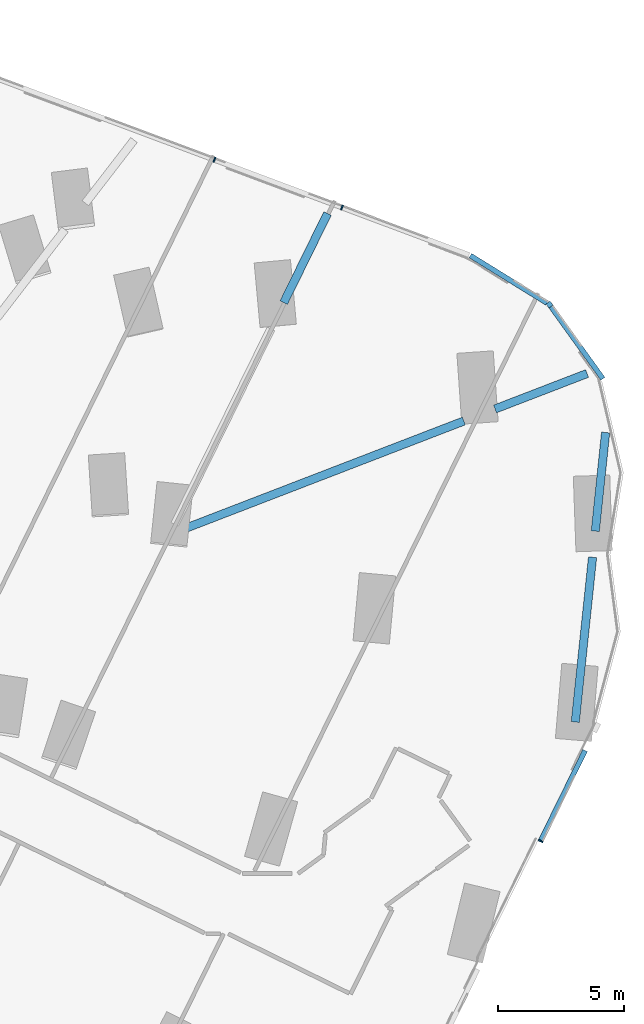
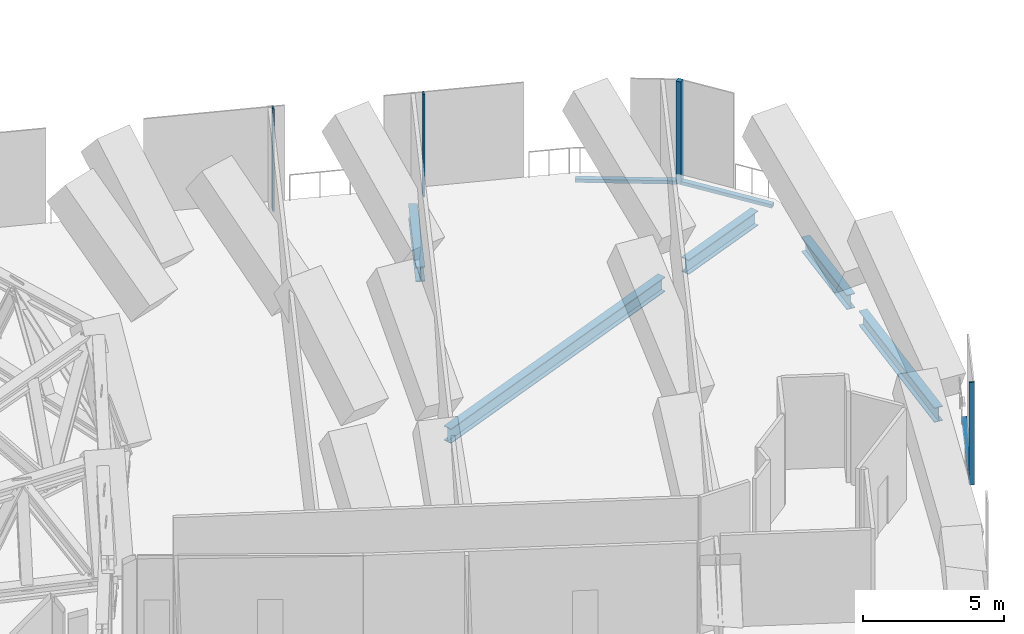
# One storey, part 12 of 34: 7 members, 5 beams, 4 elements without a shape of their own.
"""IFC4 building model written with IfcOpenShell, lengths in metres."""

import ifcopenshell
import ifcopenshell.guid

model = None  # the IFC model being written
_history = None  # IfcOwnerHistory: only IFC2X3 demands one
_inside = {}  # id of a spatial element -> (the spatial element, [elements in it])
_under = {}  # id of a project, library or spatial element -> (it, [spatial elements below it])
_declared = {}  # id of a project -> (the project, [libraries it declares])
_typed = {}  # id of a type object -> (the type object, [elements of that type])
_made_of = {}  # id of a material, layer set ... -> (it, [elements and type objects made of it])


def new_model(schema):
    """Start an empty IFC model of exactly this schema.

    Asked for "IFC4X3", IfcOpenShell would pick the latest addendum, in which some entities
    have other attributes; the version numbers below select the first issue.
    IFC2X3 requires an IfcOwnerHistory on every rooted entity: one is made here for all.
    """
    global model, _history
    if schema == "IFC4X3":
        model = ifcopenshell.file(schema_version=(4, 3, 0, 0))
    else:
        model = ifcopenshell.file(schema=schema)
    _inside.clear()
    _under.clear()
    _declared.clear()
    _typed.clear()
    _made_of.clear()
    _history = None
    if model.schema == "IFC2X3":
        org = make("IfcOrganization", Name="unknown")
        user = make(
            "IfcPersonAndOrganization",
            ThePerson=make("IfcPerson", FamilyName="unknown"),
            TheOrganization=org,
        )
        app = make(
            "IfcApplication",
            ApplicationDeveloper=org,
            Version="unknown",
            ApplicationFullName="unknown",
            ApplicationIdentifier="unknown",
        )
        _history = make(
            "IfcOwnerHistory",
            OwningUser=user,
            OwningApplication=app,
            ChangeAction="ADDED",
            CreationDate=0,
        )
    return model


def make(cls, **values):
    """One entity of the class cls with the attributes given. An attribute that is None is left unset."""
    return model.create_entity(
        cls, **{name: value for name, value in values.items() if value is not None}
    )


def rooted(cls, **values):
    """An entity with a GlobalId (a new one), such as an element, a storey or a relation."""
    return make(cls, GlobalId=ifcopenshell.guid.new(), OwnerHistory=_history, **values)


def si_unit(unit_type, name, prefix=None):
    """IfcSIUnit, for example si_unit("LENGTHUNIT", "METRE", prefix="MILLI")."""
    return make("IfcSIUnit", UnitType=unit_type, Prefix=prefix, Name=name)


def assignment(units):
    """IfcUnitAssignment: the units of a project."""
    return None if units is None else make("IfcUnitAssignment", Units=units)


def point(xyz):
    """IfcCartesianPoint."""
    return None if xyz is None else make("IfcCartesianPoint", Coordinates=xyz)


def direction(xyz):
    """IfcDirection."""
    return None if xyz is None else make("IfcDirection", DirectionRatios=xyz)


def frame(location, z_axis=None, x_axis=None):
    """IfcAxis2Placement3D, a coordinate frame: its origin and axes. An axis left out is left unset."""
    return make(
        "IfcAxis2Placement3D",
        Location=point(location),
        Axis=direction(z_axis),
        RefDirection=direction(x_axis),
    )


def frame_2d(location, x_axis=None):
    """IfcAxis2Placement2D, a coordinate frame in the plane: its origin and x axis."""
    return make(
        "IfcAxis2Placement2D", Location=point(location), RefDirection=direction(x_axis)
    )


def origin():
    """The frame at (0, 0, 0) with its axes left unset."""
    return frame((0.0, 0.0, 0.0))


def origin_2d():
    """The frame at (0, 0) in the plane with its x axis left unset."""
    return frame_2d((0.0, 0.0))


def place(relative_to, where):
    """IfcLocalPlacement: puts the frame where relative to a parent placement (None: the world)."""
    return make(
        "IfcLocalPlacement", PlacementRelTo=relative_to, RelativePlacement=where
    )


def context(
    kind, dimensions, precision=None, world=None, true_north=None, identifier=None
):
    """IfcGeometricRepresentationContext, for example the 3D "Model" context."""
    return make(
        "IfcGeometricRepresentationContext",
        ContextIdentifier=identifier,
        ContextType=kind,
        CoordinateSpaceDimension=dimensions,
        Precision=precision,
        WorldCoordinateSystem=world,
        TrueNorth=true_north,
    )


def subcontext(parent, identifier, kind, view, scale=None):
    """IfcGeometricRepresentationSubContext, for example "Body" below "Model"."""
    return make(
        "IfcGeometricRepresentationSubContext",
        ContextIdentifier=identifier,
        ContextType=kind,
        ParentContext=parent,
        TargetScale=scale,
        TargetView=view,
    )


def project(units=None, contexts=None):
    """IfcProject with its units and contexts."""
    return rooted(
        "IfcProject",
        Name="project",
        RepresentationContexts=contexts,
        UnitsInContext=assignment(units),
    )


def spatial(cls, under=None, at=None, **own):
    """A site, building, storey or space (cls), placed at a placement, below another one or the project."""
    s = rooted(cls, ObjectPlacement=at, **own)
    if under is not None:
        _under.setdefault(under.id(), (under, []))[1].append(s)
    return s


def profile(cls, at=None, kind="AREA", **sizes):
    """A parametric profile (cls). Its sizes go by their IFC names, for example OverallWidth=200.0."""
    return make(cls, ProfileType=kind, Position=at, **sizes)


def rectangle(**sizes):
    """IfcRectangleProfileDef."""
    return profile("IfcRectangleProfileDef", **sizes)


def i_section(**sizes):
    """IfcIShapeProfileDef."""
    return profile("IfcIShapeProfileDef", **sizes)


def extrude(swept, where, along, depth):
    """IfcExtrudedAreaSolid: the profile swept, set in the frame where, extruded along a direction by depth."""
    return make(
        "IfcExtrudedAreaSolid",
        SweptArea=swept,
        Position=where,
        ExtrudedDirection=direction(along),
        Depth=depth,
    )


def shape(context_of_items, identifier, shape_type, items):
    """IfcShapeRepresentation: the items that make up one representation, for example the "Body"."""
    return make(
        "IfcShapeRepresentation",
        ContextOfItems=context_of_items,
        RepresentationIdentifier=identifier,
        RepresentationType=shape_type,
        Items=items,
    )


def material(Name=None, Category=None):
    """IfcMaterial."""
    return make("IfcMaterial", Name=Name, Category=Category)


def material_profile(
    of_material, cross_section, Name=None, Category=None, Priority=None
):
    """IfcMaterialProfile: a cross section and its material."""
    return make(
        "IfcMaterialProfile",
        Name=Name,
        Material=of_material,
        Profile=cross_section,
        Priority=Priority,
        Category=Category,
    )


def profile_set(profiles, Name=None, composite=None):
    """IfcMaterialProfileSet."""
    return make(
        "IfcMaterialProfileSet",
        Name=Name,
        MaterialProfiles=profiles,
        CompositeProfile=composite,
    )


def made_of(thing, what):
    """Note that an element or type object is made of a material, layer set ...; save() writes the relation."""
    if what is not None:
        _made_of.setdefault(what.id(), (what, []))[1].append(thing)
    return thing


def type_object(cls, material=None, **own):
    """A type object (cls), such as IfcWallType, which elements share."""
    return made_of(rooted(cls, **own), material)


def element(
    cls,
    number,
    at=None,
    inside=None,
    cuts=None,
    type_object=None,
    material=None,
    context=None,
    identifier="Body",
    shape_type=None,
    held_by="IfcProductDefinitionShape",
    body=None,
    shapes=None,
    **own,
):
    """One element of the class cls, such as IfcWall. Its Tag is "e" and its number.

    at: its placement. inside: the storey or other place that contains it. cuts: it is an
    opening in that element (IfcRelVoidsElement). A single representation is given by context,
    identifier, shape_type and body (its items); several are given by shapes. held_by: the class
    of the entity that holds the representations. save() writes the other relations.
    """
    e = rooted(cls, Tag="e%d" % number, ObjectPlacement=at, **own)
    if body is not None:
        shapes = [shape(context, identifier, shape_type, body)]
    if shapes is not None:
        e.Representation = make(held_by, Representations=shapes)
    if inside is not None:
        _inside.setdefault(inside.id(), (inside, []))[1].append(e)
    if cuts is not None:
        rooted(
            "IfcRelVoidsElement", RelatingBuildingElement=cuts, RelatedOpeningElement=e
        )
    if type_object is not None:
        _typed.setdefault(type_object.id(), (type_object, []))[1].append(e)
    return made_of(e, material)


def aggregate(whole, parts):
    """IfcRelAggregates: a whole, such as a stair, and the parts it consists of."""
    return rooted("IfcRelAggregates", RelatingObject=whole, RelatedObjects=parts)


def save(model, path):
    """Write the relations noted so far, then the file.

    IfcRelAggregates (storeys below a building ...), IfcRelContainedInSpatialStructure (elements
    in a storey), IfcRelDefinesByType, IfcRelAssociatesMaterial and IfcRelDeclares: one each for
    every whole, place, type object, material and project.
    """
    for whole, parts in _under.values():
        aggregate(whole, parts)
    for where, things in _inside.values():
        rooted(
            "IfcRelContainedInSpatialStructure",
            RelatedElements=things,
            RelatingStructure=where,
        )
    for kind, things in _typed.values():
        rooted("IfcRelDefinesByType", RelatedObjects=things, RelatingType=kind)
    for what, things in _made_of.values():
        rooted("IfcRelAssociatesMaterial", RelatedObjects=things, RelatingMaterial=what)
    for by, libraries in _declared.values():
        rooted("IfcRelDeclares", RelatingContext=by, RelatedDefinitions=libraries)
    model.write(path)


model = new_model("IFC4")

# Units and contexts
model_context = context("Model", 3, precision=1e-05, world=origin(), true_north=direction((0.0, 1.0)))
body_context = subcontext(model_context, "Body", "Model", "MODEL_VIEW")
ifc_project = project(units=[si_unit("LENGTHUNIT", "METRE"), si_unit("AREAUNIT", "SQUARE_METRE"), si_unit("VOLUMEUNIT", "CUBIC_METRE"), si_unit("PLANEANGLEUNIT", "RADIAN"), si_unit("MASSUNIT", "GRAM", prefix="KILO")], contexts=[model_context])

# Site, building, storey
site_placement = place(None, origin())
site = spatial("IfcSite", under=ifc_project, at=site_placement, CompositionType="ELEMENT")
building_placement = place(site_placement, origin())
building = spatial("IfcBuilding", under=site, at=building_placement, Name="Orlundy Tower", CompositionType="ELEMENT")
storey_placement = place(building_placement, frame((0.0, 0.0, 76.300048828125)))
storey = spatial("IfcBuildingStorey", under=building, at=storey_placement, Name="L18", CompositionType="ELEMENT", Elevation=76.300048828125)

# Beams
ifc_material_1 = material(Name="Steel ASTM A992 Gr 50", Category="steel")
ifc_material_profile_1 = material_profile(ifc_material_1, i_section(OverallWidth=0.3291015625, OverallDepth=0.635009765625, WebThickness=0.017822265625, FlangeThickness=0.031005859375, at=origin_2d()), Name="W24X162")
ifc_profile_set_1 = profile_set([ifc_material_profile_1], Name="Steel ASTM A992 Gr 50")
beam_type = type_object("IfcBeamType", Name="CANTILEVER GIRDER beam W24X162", PredefinedType="BEAM", material=ifc_profile_set_1)
beam_1_placement = place(storey_placement, frame((48.22021484375, 2.97314453125, -0.767578125), z_axis=(-0.441047132618, -0.897483942369, 0.0), x_axis=(0.897483942369, -0.441047132618, 0.0)))
element("IfcBeam", 1, at=beam_1_placement, inside=storey, type_object=beam_type, Name="Cantilever girder C-A5-2 L18", PredefinedType="BEAM", context=body_context, shape_type="SweptSolid", body=[
    extrude(i_section(OverallWidth=0.3291015625, OverallDepth=0.635009765625, WebThickness=0.017822265625, FlangeThickness=0.031005859375, at=origin_2d()), origin(), (0.0, 0.0, 1.0), 3.9501953125),
])
beam_2_placement = place(storey_placement, frame((58.5537109375, -3.397216796875, -0.767578125), z_axis=(-0.933074432253, -0.359683338336, 0.0), x_axis=(0.359683338336, -0.933074432253, 0.0)))
element("IfcBeam", 2, at=beam_2_placement, inside=storey, type_object=beam_type, Name="Cantilever girder C-A5-3 L18", PredefinedType="BEAM", context=body_context, shape_type="SweptSolid", body=[
    extrude(i_section(OverallWidth=0.3291015625, OverallDepth=0.635009765625, WebThickness=0.017822265625, FlangeThickness=0.031005859375, at=origin_2d()), origin(), (0.0, 0.0, 1.0), 3.92529296875),
])
beam_3_placement = place(storey_placement, frame((53.64697265625, -5.288818359375, -0.767578125), z_axis=(-0.933065112825, -0.359707513446, 0.0), x_axis=(0.359707513446, -0.933065112825, 0.0)))
element("IfcBeam", 3, at=beam_3_placement, inside=storey, type_object=beam_type, Name="Back-span girder C-A5-3 L18", PredefinedType="BEAM", context=body_context, shape_type="SweptSolid", body=[
    extrude(i_section(OverallWidth=0.3291015625, OverallDepth=0.635009765625, WebThickness=0.017822265625, FlangeThickness=0.031005859375, at=origin_2d()), origin(), (0.0, 0.0, 1.0), 12.103515625),
])
beam_4_placement = place(storey_placement, frame((59.29345703125, -5.744384765625, -0.767578125), z_axis=(-0.104269731897, -0.994549055105, 0.0), x_axis=(0.994549055105, -0.104269731897, 0.0)))
element("IfcBeam", 4, at=beam_4_placement, inside=storey, type_object=beam_type, Name="Cantilever girder C-A5-5 L18", PredefinedType="BEAM", context=body_context, shape_type="SweptSolid", body=[
    extrude(i_section(OverallWidth=0.3291015625, OverallDepth=0.635009765625, WebThickness=0.017822265625, FlangeThickness=0.031005859375, at=origin_2d()), origin(), (0.0, 0.0, 1.0), 3.949951171875),
])
beam_5_placement = place(storey_placement, frame((58.7724609375, -10.713134765625, -0.767578125), z_axis=(-0.104256930291, -0.994550397158, 0.0), x_axis=(0.994550397158, -0.104256930291, 0.0)))
element("IfcBeam", 5, at=beam_5_placement, inside=storey, type_object=beam_type, Name="Back-span girder C-A5-5 L18", PredefinedType="BEAM", context=body_context, shape_type="SweptSolid", body=[
    extrude(i_section(OverallWidth=0.3291015625, OverallDepth=0.635009765625, WebThickness=0.017822265625, FlangeThickness=0.031005859375, at=origin_2d()), origin(), (0.0, 0.0, 1.0), 6.59423828125),
])

# Curtain wall, member
ifc_material_2 = material(Name="Aluminium bronze anodised", Category="aluminium")
curtain_wall_type = type_object("IfcCurtainWallType", Name="CW4 wall", PredefinedType="NOTDEFINED", material=ifc_material_2)
curtain_wall_1_placement = place(storey_placement, origin())
curtain_wall_1 = element("IfcCurtainWall", 6, at=curtain_wall_1_placement, inside=storey, type_object=curtain_wall_type, Name="CW4 run 017", PredefinedType="NOTDEFINED")
ifc_material_3 = material(Name="Aluminium bronze anodised", Category="aluminium")
ifc_material_profile_2 = material_profile(ifc_material_3, rectangle(XDim=0.199951171875, YDim=0.199951171875, at=origin_2d()), Name="CW4 corner post 200x200")
ifc_profile_set_2 = profile_set([ifc_material_profile_2], Name="Aluminium bronze anodised")
member_type_1 = type_object("IfcMemberType", Name="CW4 corner post 200x200", PredefinedType="MULLION", material=ifc_profile_set_2)
member_1_placement = place(storey_placement, frame((57.0595703125, -0.65234375, -0.449951171875), z_axis=(0.0, 0.0, 1.0), x_axis=(0.811723617772, 0.584041752233, 0.0)))
member_1 = element("IfcMember", 7, at=member_1_placement, type_object=member_type_1, Name="CW4 mullion 29", PredefinedType="MULLION", context=body_context, shape_type="SweptSolid", body=[
    extrude(rectangle(XDim=0.199951171875, YDim=0.199951171875, at=origin_2d()), origin(), (0.0, 0.0, 1.0), 4.449951171875),
])

# Curtain wall, members
curtain_wall_2_placement = place(storey_placement, origin())
curtain_wall_2 = element("IfcCurtainWall", 8, at=curtain_wall_2_placement, inside=storey, type_object=curtain_wall_type, Name="CW4 run 015", PredefinedType="NOTDEFINED")
ifc_material_4 = material(Name="Aluminium bronze anodised", Category="aluminium")
ifc_material_profile_3 = material_profile(ifc_material_4, rectangle(XDim=0.199951171875, YDim=0.06005859375, at=origin_2d()), Name="CW4 mullion 60x200")
ifc_profile_set_3 = profile_set([ifc_material_profile_3], Name="Aluminium bronze anodised")
member_type_2 = type_object("IfcMemberType", Name="CW4 mullion 60x200", PredefinedType="MULLION", material=ifc_profile_set_3)
member_2_placement = place(storey_placement, frame((43.717529296875, 5.113525390625, -0.449951171875), z_axis=(0.0, 0.0, 1.0), x_axis=(0.350189315544, 0.936678943544, 0.0)))
member_2 = element("IfcMember", 9, at=member_2_placement, type_object=member_type_2, Name="CW4 mullion 26", PredefinedType="MULLION", context=body_context, shape_type="SweptSolid", body=[
    extrude(rectangle(XDim=0.199951171875, YDim=0.06005859375, at=origin_2d()), origin(), (0.0, 0.0, 1.0), 4.449951171875),
])
member_3_placement = place(storey_placement, frame((48.795166015625, 3.215087890625, -0.449951171875), z_axis=(0.0, 0.0, 1.0), x_axis=(0.350189315544, 0.936678943544, 0.0)))
member_3 = element("IfcMember", 10, at=member_3_placement, type_object=member_type_2, Name="CW4 mullion 27", PredefinedType="MULLION", context=body_context, shape_type="SweptSolid", body=[
    extrude(rectangle(XDim=0.199951171875, YDim=0.06005859375, at=origin_2d()), origin(), (0.0, 0.0, 1.0), 4.449951171875),
])
aggregate(curtain_wall_2, [member_2, member_3])

# Curtain wall, member
curtain_wall_3_placement = place(storey_placement, origin())
curtain_wall_3 = element("IfcCurtainWall", 11, at=curtain_wall_3_placement, inside=storey, type_object=curtain_wall_type, Name="CW4 run 022", PredefinedType="NOTDEFINED")
member_4_placement = place(storey_placement, frame((56.70458984375, -22.011962890625, -0.449951171875), z_axis=(0.0, 0.0, 1.0), x_axis=(0.897501090883, -0.441012235503, 0.0)))
member_4 = element("IfcMember", 12, at=member_4_placement, type_object=member_type_2, Name="CW4 mullion 35", PredefinedType="MULLION", context=body_context, shape_type="SweptSolid", body=[
    extrude(rectangle(XDim=0.199951171875, YDim=0.06005859375, at=origin_2d()), origin(), (0.0, 0.0, 1.0), 4.449951171875),
])

curtain_wall_4_placement = place(storey_placement, origin())
curtain_wall_4 = element("IfcCurtainWall", 13, at=curtain_wall_4_placement, inside=storey, type_object=curtain_wall_type, Name="CW4 run 016", PredefinedType="NOTDEFINED")
ifc_material_5 = material(Name="Aluminium bronze anodised", Category="aluminium")
ifc_material_profile_4 = material_profile(ifc_material_5, rectangle(XDim=0.199951171875, YDim=0.14990234375, at=origin_2d()), Name="CW4 transom 200x150")
ifc_profile_set_4 = profile_set([ifc_material_profile_4], Name="Aluminium bronze anodised")
member_type_3 = type_object("IfcMemberType", Name="CW4 transom 200x150", PredefinedType="USERDEFINED", material=ifc_profile_set_4)
member_5_placement = place(storey_placement, frame((53.907958984375, 1.29736328125, -0.375), z_axis=(0.850414069597, -0.526113970762, 0.0), x_axis=(0.526113970762, 0.850414069597, 0.0)))
member_5 = element("IfcMember", 14, at=member_5_placement, type_object=member_type_3, Name="CW4 transom", ObjectType="TRANSOM", PredefinedType="USERDEFINED", context=body_context, shape_type="SweptSolid", body=[
    extrude(rectangle(XDim=0.199951171875, YDim=0.14990234375, at=origin_2d()), origin(), (0.0, 0.0, 1.0), 3.59765625),
])
aggregate(curtain_wall_4, [member_5])

# Member
member_6_placement = place(storey_placement, frame((57.117919921875, -0.733642578125, -0.375), z_axis=(0.584041147909, -0.811724052587, 0.0), x_axis=(0.811724052587, 0.584041147909, 0.0)))
member_6 = element("IfcMember", 15, at=member_6_placement, type_object=member_type_3, Name="CW4 transom", ObjectType="TRANSOM", PredefinedType="USERDEFINED", context=body_context, shape_type="SweptSolid", body=[
    extrude(rectangle(XDim=0.199951171875, YDim=0.14990234375, at=origin_2d()), origin(), (0.0, 0.0, 1.0), 3.53857421875),
])

aggregate(curtain_wall_1, [member_1, member_6])

member_7_placement = place(storey_placement, frame((58.474853515625, -18.408935546875, -0.375), z_axis=(-0.441001738985, -0.897506248564, 0.0), x_axis=(0.897506248564, -0.441001738985, 0.0)))
member_7 = element("IfcMember", 16, at=member_7_placement, type_object=member_type_3, Name="CW4 transom", ObjectType="TRANSOM", PredefinedType="USERDEFINED", context=body_context, shape_type="SweptSolid", body=[
    extrude(rectangle(XDim=0.199951171875, YDim=0.14990234375, at=origin_2d()), origin(), (0.0, 0.0, 1.0), 3.984375),
])

aggregate(curtain_wall_3, [member_4, member_7])

save(model, "model.ifc")
